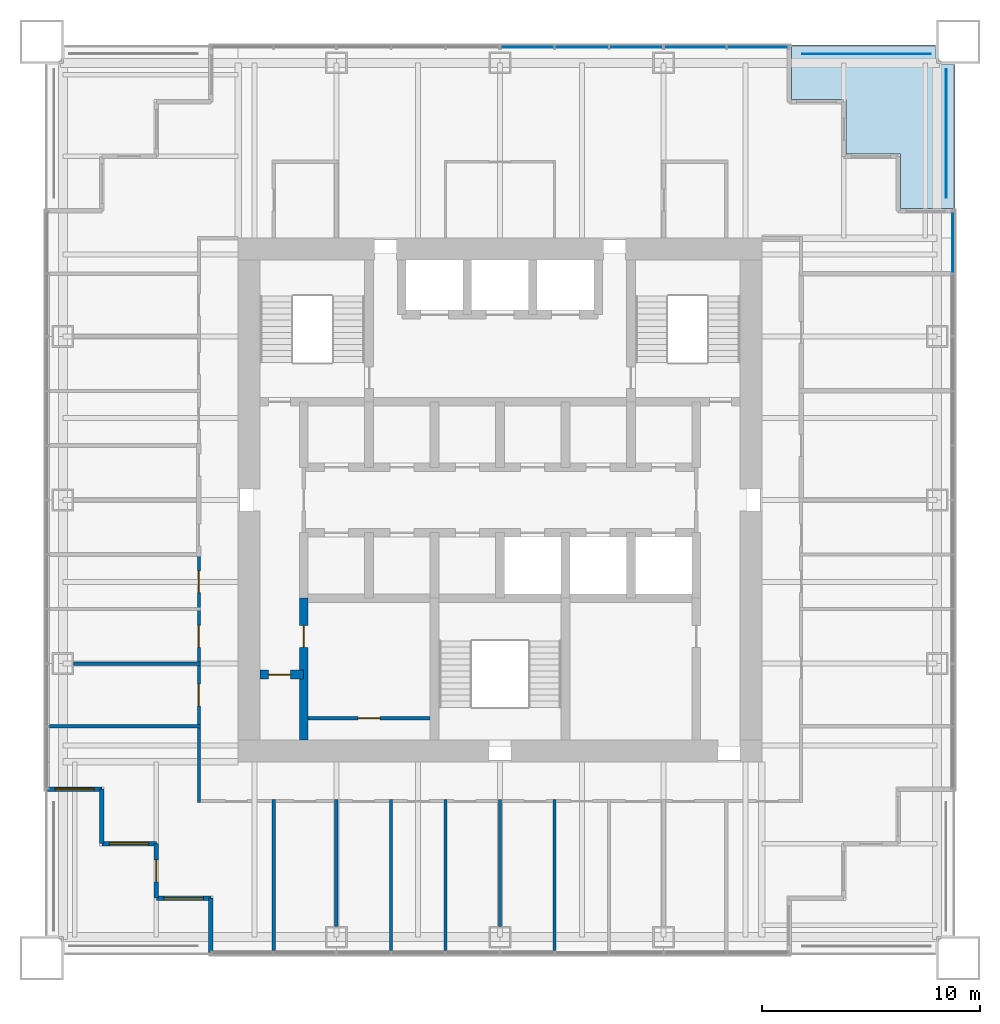
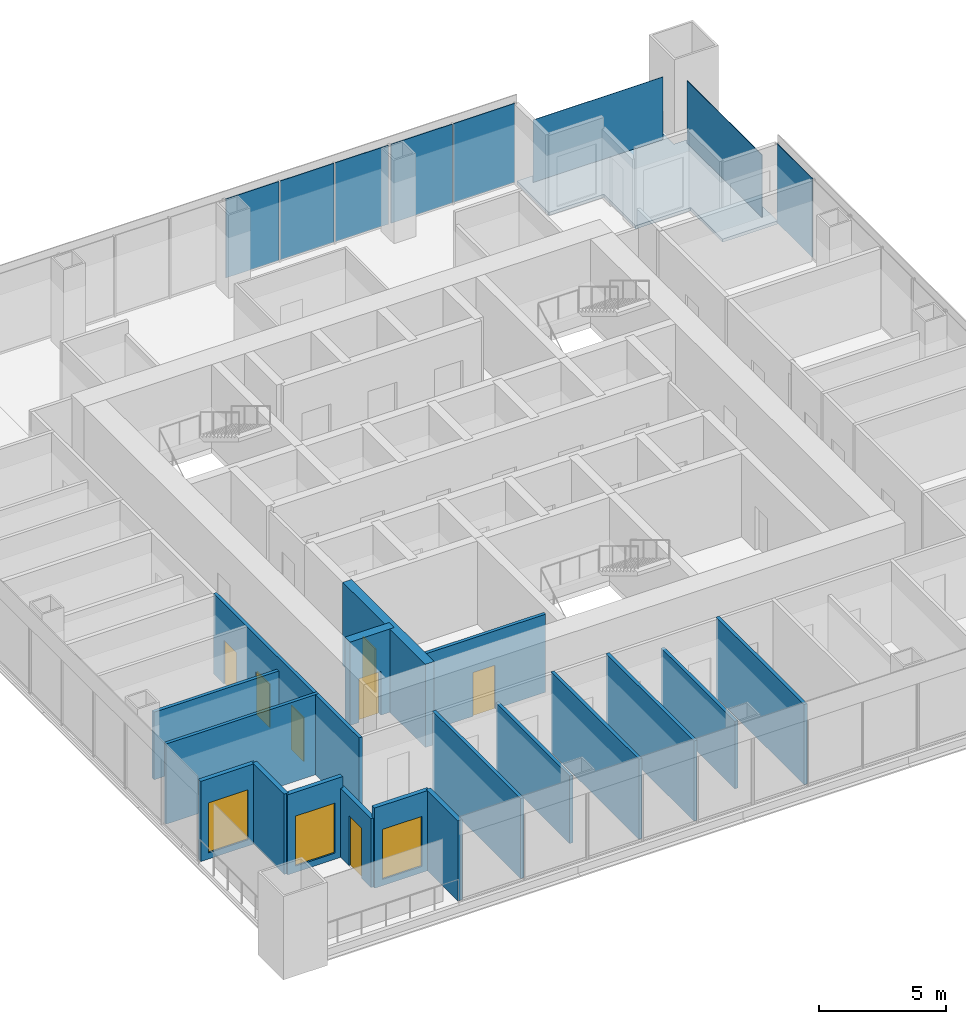
# One storey, part 9 of 15: 18 walls, 8 plates, 7 doors, 3 windows, 1 slab, 10 openings, 3 elements without a shape of their own.
"""IFC4 building model written with IfcOpenShell, lengths in metres."""

from ifc_helpers import new_model, si_unit, direction, frame, frame_2d, origin, origin_2d, place, context, subcontext, project, spatial, polyline, rectangle, outline, extrude, material, layer, layer_set, type_object, element, fill, aggregate, save


model = new_model("IFC4")

# Units and contexts
model_context = context("Model", 3, precision=1e-05, world=origin(), true_north=direction((0.0, 1.0)))
body_context = subcontext(model_context, "Body", "Model", "MODEL_VIEW")
ifc_project = project(units=[si_unit("LENGTHUNIT", "METRE"), si_unit("AREAUNIT", "SQUARE_METRE"), si_unit("VOLUMEUNIT", "CUBIC_METRE"), si_unit("PLANEANGLEUNIT", "RADIAN"), si_unit("MASSUNIT", "GRAM", prefix="KILO")], contexts=[model_context])

# Site, building, storey
site_placement = place(None, origin())
site = spatial("IfcSite", under=ifc_project, at=site_placement, CompositionType="ELEMENT")
building_placement = place(site_placement, origin())
building = spatial("IfcBuilding", under=site, at=building_placement, Name="Tarangal Relay Tower", CompositionType="ELEMENT")
storey_placement = place(building_placement, frame((0.0, 0.0, 299.89990234375)))
storey = spatial("IfcBuildingStorey", under=building, at=storey_placement, Name="L66", CompositionType="ELEMENT", Elevation=299.89990234375)

# Curtain wall, plates
ifc_material_1 = material(Name="Unitised curtain wall, dark glass and black aluminium", Category="aluminium")
curtain_wall_type = type_object("IfcCurtainWallType", Name="Curtain wall CW-B", PredefinedType="USERDEFINED", material=ifc_material_1)
curtain_wall_1_placement = place(storey_placement, origin())
curtain_wall_1 = element("IfcCurtainWall", 1, at=curtain_wall_1_placement, inside=storey, type_object=curtain_wall_type, Name="Curtain wall CW-B N facade L66", ObjectType="UNITISED CURTAIN WALL", PredefinedType="USERDEFINED")
ifc_material_2 = material(Name="Dark tinted insulated glass unit", Category="glass")
ifc_layer_1 = layer(ifc_material_2, 0.030029296875)
ifc_layer_set_1 = layer_set([ifc_layer_1], Name="Glazed panel CW-B 30")
plate_type_1 = type_object("IfcPlateType", Name="Glazed panel CW-B 30", PredefinedType="CURTAIN_PANEL", material=ifc_layer_set_1)
plate_1_placement = place(storey_placement, frame((1.264892578125, 20.75, 0.06005859375), z_axis=(0.0, 0.0, 1.0), x_axis=(1.0, 0.0, 0.0)))
plate_1 = element("IfcPlate", 2, at=plate_1_placement, type_object=plate_type_1, Name="CW-B panel 1.1", PredefinedType="CURTAIN_PANEL", context=body_context, shape_type="SweptSolid", body=[
    extrude(rectangle(XDim=2.409912109375, YDim=0.030029296875, at=origin_2d()), origin(), (0.0, 0.0, 1.0), 3.7900390625),
])
plate_2_placement = place(storey_placement, frame((3.75, 20.75, 0.06005859375), z_axis=(0.0, 0.0, 1.0), x_axis=(1.0, 0.0, 0.0)))
plate_2 = element("IfcPlate", 3, at=plate_2_placement, type_object=plate_type_1, Name="CW-B panel 2.1", PredefinedType="CURTAIN_PANEL", context=body_context, shape_type="SweptSolid", body=[
    extrude(rectangle(XDim=2.43994140625, YDim=0.030029296875, at=origin_2d()), origin(), (0.0, 0.0, 1.0), 3.7900390625),
])
plate_3_placement = place(storey_placement, frame((6.235107421875, 20.75, 0.06005859375), z_axis=(0.0, 0.0, 1.0), x_axis=(1.0, 0.0, 0.0)))
plate_3 = element("IfcPlate", 4, at=plate_3_placement, type_object=plate_type_1, Name="CW-B panel 3.1", PredefinedType="CURTAIN_PANEL", context=body_context, shape_type="SweptSolid", body=[
    extrude(rectangle(XDim=2.409912109375, YDim=0.030029296875, at=origin_2d()), origin(), (0.0, 0.0, 1.0), 3.7900390625),
])
aggregate(curtain_wall_1, [plate_1, plate_2, plate_3])

curtain_wall_2_placement = place(storey_placement, origin())
curtain_wall_2 = element("IfcCurtainWall", 5, at=curtain_wall_2_placement, inside=storey, type_object=curtain_wall_type, Name="Curtain wall CW-B N facade L66", ObjectType="UNITISED CURTAIN WALL", PredefinedType="USERDEFINED")
plate_4_placement = place(storey_placement, frame((8.952392578125, 20.75, 0.06005859375), z_axis=(0.0, 0.0, 1.0), x_axis=(1.0, 0.0, 0.0)))
plate_4 = element("IfcPlate", 6, at=plate_4_placement, type_object=plate_type_1, Name="CW-B panel 1.1", PredefinedType="CURTAIN_PANEL", context=body_context, shape_type="SweptSolid", body=[
    extrude(rectangle(XDim=2.784912109375, YDim=0.030029296875, at=origin_2d()), origin(), (0.0, 0.0, 1.0), 3.7900390625),
])
plate_5_placement = place(storey_placement, frame((11.797607421875, 20.75, 0.06005859375), z_axis=(0.0, 0.0, 1.0), x_axis=(1.0, 0.0, 0.0)))
plate_5 = element("IfcPlate", 7, at=plate_5_placement, type_object=plate_type_1, Name="CW-B panel 2.1", PredefinedType="CURTAIN_PANEL", context=body_context, shape_type="SweptSolid", body=[
    extrude(rectangle(XDim=2.784912109375, YDim=0.030029296875, at=origin_2d()), origin(), (0.0, 0.0, 1.0), 3.7900390625),
])
aggregate(curtain_wall_2, [plate_4, plate_5])

# Curtain wall, plate
curtain_wall_3_placement = place(storey_placement, origin())
curtain_wall_3 = element("IfcCurtainWall", 8, at=curtain_wall_3_placement, inside=storey, type_object=curtain_wall_type, Name="Curtain wall CW-B E facade L66", ObjectType="UNITISED CURTAIN WALL", PredefinedType="USERDEFINED")
plate_6_placement = place(storey_placement, frame((20.75, 11.797607421875, 0.06005859375), z_axis=(0.0, 0.0, 1.0), x_axis=(0.0, -1.0, 0.0)))
plate_6 = element("IfcPlate", 9, at=plate_6_placement, type_object=plate_type_1, Name="CW-B panel 1.1", PredefinedType="CURTAIN_PANEL", context=body_context, shape_type="SweptSolid", body=[
    extrude(rectangle(XDim=2.784912109375, YDim=0.030029296875, at=origin_2d()), origin(), (0.0, 0.0, 1.0), 3.7900390625),
])
aggregate(curtain_wall_3, [plate_6])

# Plates
ifc_material_3 = material(Name="Black stainless steel cable trellis with climbing planting", Category="steel")
ifc_layer_2 = layer(ifc_material_3, 0.030029296875)
ifc_layer_set_2 = layer_set([ifc_layer_2], Name="Planted trellis screen")
plate_type_2 = type_object("IfcPlateType", Name="Planted trellis screen", PredefinedType="SHEET", material=ifc_layer_set_2)
plate_7_placement = place(storey_placement, frame((20.449951171875, 16.800048828125, 0.0), z_axis=(0.0, 0.0, 1.0), x_axis=(0.0, -1.0, 0.0)))
element("IfcPlate", 10, at=plate_7_placement, inside=storey, type_object=plate_type_2, Name="Planted trellis SC2 NE L66", PredefinedType="SHEET", context=body_context, shape_type="SweptSolid", body=[
    extrude(rectangle(XDim=5.89990234375, YDim=0.030029296875, at=origin_2d()), origin(), (0.0, 0.0, 1.0), 3.0),
])
ifc_material_4 = material(Name="Perforated black aluminium screen", Category="aluminium")
ifc_layer_3 = layer(ifc_material_4, 0.02001953125)
ifc_layer_set_3 = layer_set([ifc_layer_3], Name="Terrace screen panel")
plate_type_3 = type_object("IfcPlateType", Name="Terrace screen panel", PredefinedType="SHEET", material=ifc_layer_set_3)
plate_8_placement = place(storey_placement, frame((16.800048828125, 20.449951171875, 0.0), z_axis=(0.0, 0.0, 1.0), x_axis=(1.0, 0.0, 0.0)))
element("IfcPlate", 11, at=plate_8_placement, inside=storey, type_object=plate_type_3, Name="Terrace screen SC1 NE L66", PredefinedType="SHEET", context=body_context, shape_type="SweptSolid", body=[
    extrude(rectangle(XDim=5.89990234375, YDim=0.02001953125, at=origin_2d()), origin(), (0.0, 0.0, 1.0), 3.0),
])

# Slab
ifc_material_5 = material(Name="Concrete fc' 35 MPa", Category="concrete")
ifc_layer_4 = layer(ifc_material_5, 0.14990234375)
ifc_layer_set_4 = layer_set([ifc_layer_4], Name="Terrace slab 150")
slab_type = type_object("IfcSlabType", Name="Terrace slab 150", PredefinedType="FLOOR", material=ifc_layer_set_4)
slab_placement = place(storey_placement, frame((0.0, 0.0, -0.14990234375)))
element("IfcSlab", 12, at=slab_placement, inside=storey, type_object=slab_type, Name="Corner terrace NE L66", PredefinedType="FLOOR", context=body_context, shape_type="SweptSolid", body=[
    extrude(outline(polyline([(13.35009765625, 20.85009765625), (13.35009765625, 18.35009765625), (15.85009765625, 18.35009765625), (15.85009765625, 15.85009765625), (18.35009765625, 15.85009765625), (18.35009765625, 13.35009765625), (20.85009765625, 13.35009765625), (20.85009765625, 19.949951171875), (19.949951171875, 19.949951171875), (19.949951171875, 20.85009765625), (13.35009765625, 20.85009765625)])), origin(), (0.0, 0.0, 1.0), 0.14990234375),
])

# Wall, opening, door
ifc_material_6 = material(Name="Concrete fc' 60 MPa", Category="concrete")
ifc_layer_5 = layer(ifc_material_6, 0.39990234375)
ifc_layer_set_5 = layer_set([ifc_layer_5], Name="Core inner wall 400")
wall_type_1 = type_object("IfcWallType", Name="Core inner wall 400", PredefinedType="SHEAR", material=ifc_layer_set_5)
wall_1_placement = place(storey_placement, frame((-11.0, -8.0, 0.0), z_axis=(0.0, 0.0, 1.0), x_axis=(1.0, 0.0, 0.0)))
wall_1 = element("IfcWall", 13, at=wall_1_placement, inside=storey, type_object=wall_type_1, Name="Core wall YM8 L66", PredefinedType="SHEAR", context=body_context, shape_type="SweptSolid", body=[
    extrude(rectangle(XDim=2.0, YDim=0.39990234375, at=frame_2d((1.0, 0.0))), origin(), (0.0, 0.0, 1.0), 4.0),
])
opening_1_placement = place(wall_1_placement, frame((0.39990234375, 0.0, 0.0)))
opening_1 = element("IfcOpeningElement", 14, at=opening_1_placement, cuts=wall_1, Name="Opening D1", PredefinedType="OPENING", context=body_context, shape_type="SweptSolid", body=[
    extrude(rectangle(XDim=1.0, YDim=2.10009765625, at=frame_2d((0.5, 1.050048828125))), frame((0.0, 0.2099609375, 0.0), z_axis=(0.0, -1.0, 0.0), x_axis=(1.0, 0.0, 0.0)), (0.0, 0.0, 1.0), 0.419921875),
])
ifc_material_7 = material(Name="Hardwood door", Category="wood")
door_type_1 = type_object("IfcDoorType", Name="WC door 1000 x 2100", OperationType="SINGLE_SWING_LEFT", PredefinedType="DOOR", material=ifc_material_7)
door_1_placement = place(opening_1_placement, origin())
door_1 = element("IfcDoor", 15, at=door_1_placement, inside=storey, type_object=door_type_1, Name="Accessible WC door L66", OperationType="SINGLE_SWING_LEFT", OverallHeight=2.10009765625, OverallWidth=1.0, PredefinedType="DOOR", context=body_context, shape_type="SweptSolid", body=[
    extrude(rectangle(XDim=1.0, YDim=2.10009765625, at=frame_2d((0.5, 1.050048828125))), frame((0.0, 0.02490234375, 0.0), z_axis=(0.0, -1.0, 0.0), x_axis=(1.0, 0.0, 0.0)), (0.0, 0.0, 1.0), 0.050048828125),
])
fill(opening_1, door_1)

wall_2_placement = place(storey_placement, frame((-9.0, -11.0, 0.0), z_axis=(0.0, 0.0, 1.0), x_axis=(0.0, 1.0, 0.0)))
wall_2 = element("IfcWall", 16, at=wall_2_placement, inside=storey, type_object=wall_type_1, Name="Core wall XM9W L66", PredefinedType="SHEAR", context=body_context, shape_type="SweptSolid", body=[
    extrude(rectangle(XDim=6.5, YDim=0.39990234375, at=frame_2d((3.25, 0.0))), origin(), (0.0, 0.0, 1.0), 4.0),
])
opening_2_placement = place(wall_2_placement, frame((4.25, 0.0, 0.0)))
opening_2 = element("IfcOpeningElement", 17, at=opening_2_placement, cuts=wall_2, Name="Opening D1", PredefinedType="OPENING", context=body_context, shape_type="SweptSolid", body=[
    extrude(rectangle(XDim=1.0, YDim=2.10009765625, at=frame_2d((0.5, 1.050048828125))), frame((0.0, 0.2099609375, 0.0), z_axis=(0.0, -1.0, 0.0), x_axis=(1.0, 0.0, 0.0)), (0.0, 0.0, 1.0), 0.419921875),
])
door_2_placement = place(opening_2_placement, origin())
door_2 = element("IfcDoor", 18, at=door_2_placement, inside=storey, type_object=door_type_1, Name="Male WC door L66", OperationType="SINGLE_SWING_LEFT", OverallHeight=2.10009765625, OverallWidth=1.0, PredefinedType="DOOR", context=body_context, shape_type="SweptSolid", body=[
    extrude(rectangle(XDim=1.0, YDim=2.10009765625, at=frame_2d((0.5, 1.050048828125))), frame((0.0, 0.02490234375, 0.0), z_axis=(0.0, -1.0, 0.0), x_axis=(1.0, 0.0, 0.0)), (0.0, 0.0, 1.0), 0.050048828125),
])
fill(opening_2, door_2)

# Wall
ifc_material_8 = material(Name="Black metal clad insulated wall", Category="steel")
ifc_layer_6 = layer(ifc_material_8, 0.199951171875)
ifc_layer_set_6 = layer_set([ifc_layer_6], Name="Corner wall metal clad 200")
wall_type_2 = type_object("IfcWallType", Name="Corner wall metal clad 200", PredefinedType="SOLIDWALL", material=ifc_layer_set_6)
wall_3_placement = place(storey_placement, frame((-13.25, -20.75, 0.0), z_axis=(0.0, 0.0, 1.0), x_axis=(0.0, 1.0, 0.0)))
element("IfcWall", 19, at=wall_3_placement, inside=storey, type_object=wall_type_2, Name="Facade wall S facade L66", PredefinedType="SOLIDWALL", context=body_context, shape_type="SweptSolid", body=[
    extrude(rectangle(XDim=2.5, YDim=0.199951171875, at=frame_2d((1.25, 0.0))), origin(), (0.0, 0.0, 1.0), 3.85009765625),
])

# Wall, opening, window
wall_4_placement = place(storey_placement, frame((-13.25, -18.25, 0.0), z_axis=(0.0, 0.0, 1.0), x_axis=(-1.0, 0.0, 0.0)))
wall_4 = element("IfcWall", 20, at=wall_4_placement, inside=storey, type_object=wall_type_2, Name="Facade wall S facade L66", PredefinedType="SOLIDWALL", context=body_context, shape_type="SweptSolid", body=[
    extrude(rectangle(XDim=2.5, YDim=0.199951171875, at=frame_2d((1.25, 0.0))), origin(), (0.0, 0.0, 1.0), 3.85009765625),
])
opening_3_placement = place(wall_4_placement, frame((0.35009765625, 0.0, 0.300048828125)))
opening_3 = element("IfcOpeningElement", 21, at=opening_3_placement, cuts=wall_4, Name="Opening WN2", PredefinedType="OPENING", context=body_context, shape_type="SweptSolid", body=[
    extrude(rectangle(XDim=1.800048828125, YDim=2.39990234375, at=frame_2d((0.89990234375, 1.199951171875))), frame((0.0, 0.10986328125, 0.0), z_axis=(0.0, -1.0, 0.0), x_axis=(1.0, 0.0, 0.0)), (0.0, 0.0, 1.0), 0.219970703125),
])
ifc_material_9 = material(Name="Dark tinted double glazing in black aluminium frame", Category="aluminium")
window_type = type_object("IfcWindowType", Name="Corner window 1800 x 2400", PartitioningType="SINGLE_PANEL", PredefinedType="WINDOW", material=ifc_material_9)
window_1_placement = place(opening_3_placement, origin())
window_1 = element("IfcWindow", 22, at=window_1_placement, inside=storey, type_object=window_type, Name="Corner window WN2 S facade L66", OverallHeight=2.39990234375, OverallWidth=1.800048828125, PartitioningType="SINGLE_PANEL", PredefinedType="WINDOW", context=body_context, shape_type="SweptSolid", body=[
    extrude(rectangle(XDim=1.800048828125, YDim=2.39990234375, at=frame_2d((0.89990234375, 1.199951171875))), frame((0.0, 0.030029296875, 0.0), z_axis=(0.0, -1.0, 0.0), x_axis=(1.0, 0.0, 0.0)), (0.0, 0.0, 1.0), 0.06005859375),
])
fill(opening_3, window_1)

# Wall, opening, door
wall_5_placement = place(storey_placement, frame((-15.75, -18.25, 0.0), z_axis=(0.0, 0.0, 1.0), x_axis=(0.0, 1.0, 0.0)))
wall_5 = element("IfcWall", 23, at=wall_5_placement, inside=storey, type_object=wall_type_2, Name="Facade wall S facade L66", PredefinedType="SOLIDWALL", context=body_context, shape_type="SweptSolid", body=[
    extrude(rectangle(XDim=2.5, YDim=0.199951171875, at=frame_2d((1.25, 0.0))), origin(), (0.0, 0.0, 1.0), 3.316650390625),
])
opening_4_placement = place(wall_5_placement, frame((0.75, 0.0, 0.0)))
opening_4 = element("IfcOpeningElement", 24, at=opening_4_placement, cuts=wall_5, Name="Opening TD1", PredefinedType="OPENING", context=body_context, shape_type="SweptSolid", body=[
    extrude(rectangle(XDim=1.0, YDim=2.39990234375, at=frame_2d((0.5, 1.199951171875))), frame((0.0, 0.10986328125, 0.0), z_axis=(0.0, -1.0, 0.0), x_axis=(1.0, 0.0, 0.0)), (0.0, 0.0, 1.0), 0.219970703125),
])
ifc_material_10 = material(Name="Aluminium glazed door", Category="aluminium")
door_type_2 = type_object("IfcDoorType", Name="Terrace door 1000 x 2400", OperationType="SINGLE_SWING_RIGHT", PredefinedType="DOOR", material=ifc_material_10)
door_3_placement = place(opening_4_placement, origin())
door_3 = element("IfcDoor", 25, at=door_3_placement, inside=storey, type_object=door_type_2, Name="Terrace door TD1 SW L66", OperationType="SINGLE_SWING_RIGHT", OverallHeight=2.39990234375, OverallWidth=1.0, PredefinedType="DOOR", context=body_context, shape_type="SweptSolid", body=[
    extrude(rectangle(XDim=1.0, YDim=2.39990234375, at=frame_2d((0.5, 1.199951171875))), frame((0.0, 0.02490234375, 0.0), z_axis=(0.0, -1.0, 0.0), x_axis=(1.0, 0.0, 0.0)), (0.0, 0.0, 1.0), 0.050048828125),
])
fill(opening_4, door_3)

# Wall, opening, window
wall_6_placement = place(storey_placement, frame((-15.75, -15.75, 0.0), z_axis=(0.0, 0.0, 1.0), x_axis=(-1.0, 0.0, 0.0)))
wall_6 = element("IfcWall", 26, at=wall_6_placement, inside=storey, type_object=wall_type_2, Name="Facade wall S facade L66", PredefinedType="SOLIDWALL", context=body_context, shape_type="SweptSolid", body=[
    extrude(rectangle(XDim=2.5, YDim=0.199951171875, at=frame_2d((1.25, 0.0))), origin(), (0.0, 0.0, 1.0), 3.85009765625),
])
opening_5_placement = place(wall_6_placement, frame((0.35009765625, 0.0, 0.300048828125)))
opening_5 = element("IfcOpeningElement", 27, at=opening_5_placement, cuts=wall_6, Name="Opening WN2", PredefinedType="OPENING", context=body_context, shape_type="SweptSolid", body=[
    extrude(rectangle(XDim=1.800048828125, YDim=2.39990234375, at=frame_2d((0.89990234375, 1.199951171875))), frame((0.0, 0.10986328125, 0.0), z_axis=(0.0, -1.0, 0.0), x_axis=(1.0, 0.0, 0.0)), (0.0, 0.0, 1.0), 0.219970703125),
])
window_2_placement = place(opening_5_placement, origin())
window_2 = element("IfcWindow", 28, at=window_2_placement, inside=storey, type_object=window_type, Name="Corner window WN2 S facade L66", OverallHeight=2.39990234375, OverallWidth=1.800048828125, PartitioningType="SINGLE_PANEL", PredefinedType="WINDOW", context=body_context, shape_type="SweptSolid", body=[
    extrude(rectangle(XDim=1.800048828125, YDim=2.39990234375, at=frame_2d((0.89990234375, 1.199951171875))), frame((0.0, 0.030029296875, 0.0), z_axis=(0.0, -1.0, 0.0), x_axis=(1.0, 0.0, 0.0)), (0.0, 0.0, 1.0), 0.06005859375),
])
fill(opening_5, window_2)

# Wall
wall_7_placement = place(storey_placement, frame((-18.25, -15.75, 0.0), z_axis=(0.0, 0.0, 1.0), x_axis=(0.0, 1.0, 0.0)))
element("IfcWall", 29, at=wall_7_placement, inside=storey, type_object=wall_type_2, Name="Facade wall S facade L66", PredefinedType="SOLIDWALL", context=body_context, shape_type="SweptSolid", body=[
    extrude(rectangle(XDim=2.5, YDim=0.199951171875, at=frame_2d((1.25, 0.0))), origin(), (0.0, 0.0, 1.0), 3.85009765625),
])

# Wall, opening, window
wall_8_placement = place(storey_placement, frame((-18.25, -13.25, 0.0), z_axis=(0.0, 0.0, 1.0), x_axis=(-1.0, 0.0, 0.0)))
wall_8 = element("IfcWall", 30, at=wall_8_placement, inside=storey, type_object=wall_type_2, Name="Facade wall S facade L66", PredefinedType="SOLIDWALL", context=body_context, shape_type="SweptSolid", body=[
    extrude(rectangle(XDim=2.5, YDim=0.199951171875, at=frame_2d((1.25, 0.0))), origin(), (0.0, 0.0, 1.0), 3.85009765625),
])
opening_6_placement = place(wall_8_placement, frame((0.35009765625, 0.0, 0.300048828125)))
opening_6 = element("IfcOpeningElement", 31, at=opening_6_placement, cuts=wall_8, Name="Opening WN2", PredefinedType="OPENING", context=body_context, shape_type="SweptSolid", body=[
    extrude(rectangle(XDim=1.800048828125, YDim=2.39990234375, at=frame_2d((0.89990234375, 1.199951171875))), frame((0.0, 0.10986328125, 0.0), z_axis=(0.0, -1.0, 0.0), x_axis=(1.0, 0.0, 0.0)), (0.0, 0.0, 1.0), 0.219970703125),
])
window_3_placement = place(opening_6_placement, origin())
window_3 = element("IfcWindow", 32, at=window_3_placement, inside=storey, type_object=window_type, Name="Corner window WN2 S facade L66", OverallHeight=2.39990234375, OverallWidth=1.800048828125, PartitioningType="SINGLE_PANEL", PredefinedType="WINDOW", context=body_context, shape_type="SweptSolid", body=[
    extrude(rectangle(XDim=1.800048828125, YDim=2.39990234375, at=frame_2d((0.89990234375, 1.199951171875))), frame((0.0, 0.030029296875, 0.0), z_axis=(0.0, -1.0, 0.0), x_axis=(1.0, 0.0, 0.0)), (0.0, 0.0, 1.0), 0.06005859375),
])
fill(opening_6, window_3)

# Walls
ifc_material_11 = material(Name="Gypsum board on steel studs", Category="steel")
ifc_layer_7 = layer(ifc_material_11, 0.14990234375)
ifc_layer_set_7 = layer_set([ifc_layer_7], Name="Partition 150")
wall_type_3 = type_object("IfcWallType", Name="Partition 150", PredefinedType="PARTITIONING", material=ifc_layer_set_7)
wall_9_placement = place(storey_placement, frame((-20.64990234375, -10.375, 0.0), z_axis=(0.0, 0.0, 1.0), x_axis=(1.0, 0.0, 0.0)))
element("IfcWall", 33, at=wall_9_placement, inside=storey, type_object=wall_type_3, Name="Partition PT1 L66", PredefinedType="PARTITIONING", context=body_context, shape_type="SweptSolid", body=[
    extrude(rectangle(XDim=6.9248046875, YDim=0.14990234375, at=frame_2d((3.46240234375, 0.0))), origin(), (0.0, 0.0, 1.0), 3.85009765625),
])
wall_10_placement = place(storey_placement, frame((-19.5400390625, -7.5, 0.0), z_axis=(0.0, 0.0, 1.0), x_axis=(1.0, 0.0, 0.0)))
element("IfcWall", 34, at=wall_10_placement, inside=storey, type_object=wall_type_3, Name="Partition PT1 L66", PredefinedType="PARTITIONING", context=body_context, shape_type="SweptSolid", body=[
    extrude(rectangle(XDim=5.81494140625, YDim=0.14990234375, at=frame_2d((2.907470703125, 0.0))), origin(), (0.0, 0.0, 1.0), 3.2431640625),
])

# Wall, openings, doors
wall_11_placement = place(storey_placement, frame((-13.800048828125, -13.875, 0.0), z_axis=(0.0, 0.0, 1.0), x_axis=(0.0, 1.0, 0.0)))
wall_11 = element("IfcWall", 35, at=wall_11_placement, inside=storey, type_object=wall_type_3, Name="Partition PT1 L66", PredefinedType="PARTITIONING", context=body_context, shape_type="SweptSolid", body=[
    extrude(rectangle(XDim=11.449951171875, YDim=0.14990234375, at=frame_2d((5.72509765625, 0.0))), origin(), (0.0, 0.0, 1.0), 3.85009765625),
])
opening_7_placement = place(wall_11_placement, frame((4.4375, 0.0, 0.0)))
opening_7 = element("IfcOpeningElement", 36, at=opening_7_placement, cuts=wall_11, Name="Opening D2", PredefinedType="OPENING", context=body_context, shape_type="SweptSolid", body=[
    extrude(rectangle(XDim=1.0, YDim=2.10009765625, at=frame_2d((0.5, 1.050048828125))), frame((0.0, 0.0849609375, 0.0), z_axis=(0.0, -1.0, 0.0), x_axis=(1.0, 0.0, 0.0)), (0.0, 0.0, 1.0), 0.169921875),
])
opening_8_placement = place(wall_11_placement, frame((7.125, 0.0, 0.0)))
opening_8 = element("IfcOpeningElement", 37, at=opening_8_placement, cuts=wall_11, Name="Opening D2", PredefinedType="OPENING", context=body_context, shape_type="SweptSolid", body=[
    extrude(rectangle(XDim=1.0, YDim=2.10009765625, at=frame_2d((0.5, 1.050048828125))), frame((0.0, 0.0849609375, 0.0), z_axis=(0.0, -1.0, 0.0), x_axis=(1.0, 0.0, 0.0)), (0.0, 0.0, 1.0), 0.169921875),
])
opening_9_placement = place(wall_11_placement, frame((9.625, 0.0, 0.0)))
opening_9 = element("IfcOpeningElement", 38, at=opening_9_placement, cuts=wall_11, Name="Opening D2", PredefinedType="OPENING", context=body_context, shape_type="SweptSolid", body=[
    extrude(rectangle(XDim=1.0, YDim=2.10009765625, at=frame_2d((0.5, 1.050048828125))), frame((0.0, 0.0849609375, 0.0), z_axis=(0.0, -1.0, 0.0), x_axis=(1.0, 0.0, 0.0)), (0.0, 0.0, 1.0), 0.169921875),
])
door_type_3 = type_object("IfcDoorType", Name="Door 1000 x 2100", OperationType="SINGLE_SWING_LEFT", PredefinedType="DOOR", material=ifc_material_7)
door_4_placement = place(opening_7_placement, origin())
door_4 = element("IfcDoor", 39, at=door_4_placement, inside=storey, type_object=door_type_3, Name="Door D2 to cellular office L66-18", OperationType="SINGLE_SWING_LEFT", OverallHeight=2.10009765625, OverallWidth=1.0, PredefinedType="DOOR", context=body_context, shape_type="SweptSolid", body=[
    extrude(rectangle(XDim=1.0, YDim=2.10009765625, at=frame_2d((0.5, 1.050048828125))), frame((0.0, 0.02490234375, 0.0), z_axis=(0.0, -1.0, 0.0), x_axis=(1.0, 0.0, 0.0)), (0.0, 0.0, 1.0), 0.050048828125),
])
fill(opening_7, door_4)
door_5_placement = place(opening_8_placement, origin())
door_5 = element("IfcDoor", 40, at=door_5_placement, inside=storey, type_object=door_type_3, Name="Door D2 to cellular office L66-19", OperationType="SINGLE_SWING_LEFT", OverallHeight=2.10009765625, OverallWidth=1.0, PredefinedType="DOOR", context=body_context, shape_type="SweptSolid", body=[
    extrude(rectangle(XDim=1.0, YDim=2.10009765625, at=frame_2d((0.5, 1.050048828125))), frame((0.0, 0.02490234375, 0.0), z_axis=(0.0, -1.0, 0.0), x_axis=(1.0, 0.0, 0.0)), (0.0, 0.0, 1.0), 0.050048828125),
])
fill(opening_8, door_5)
door_6_placement = place(opening_9_placement, origin())
door_6 = element("IfcDoor", 41, at=door_6_placement, inside=storey, type_object=door_type_3, Name="Door D2 to cellular office L66-20", OperationType="SINGLE_SWING_LEFT", OverallHeight=2.10009765625, OverallWidth=1.0, PredefinedType="DOOR", context=body_context, shape_type="SweptSolid", body=[
    extrude(rectangle(XDim=1.0, YDim=2.10009765625, at=frame_2d((0.5, 1.050048828125))), frame((0.0, 0.02490234375, 0.0), z_axis=(0.0, -1.0, 0.0), x_axis=(1.0, 0.0, 0.0)), (0.0, 0.0, 1.0), 0.050048828125),
])
fill(opening_9, door_6)

# Walls
wall_12_placement = place(storey_placement, frame((-10.375, -20.64990234375, 0.0), z_axis=(0.0, 0.0, 1.0), x_axis=(0.0, 1.0, 0.0)))
element("IfcWall", 42, at=wall_12_placement, inside=storey, type_object=wall_type_3, Name="Partition PT1 L66", PredefinedType="PARTITIONING", context=body_context, shape_type="SweptSolid", body=[
    extrude(rectangle(XDim=6.9248046875, YDim=0.14990234375, at=frame_2d((3.46240234375, 0.0))), origin(), (0.0, 0.0, 1.0), 3.85009765625),
])
wall_13_placement = place(storey_placement, frame((-7.5, -19.5400390625, 0.0), z_axis=(0.0, 0.0, 1.0), x_axis=(0.0, 1.0, 0.0)))
element("IfcWall", 43, at=wall_13_placement, inside=storey, type_object=wall_type_3, Name="Partition PT1 L66", PredefinedType="PARTITIONING", context=body_context, shape_type="SweptSolid", body=[
    extrude(rectangle(XDim=5.81494140625, YDim=0.14990234375, at=frame_2d((2.907470703125, 0.0))), origin(), (0.0, 0.0, 1.0), 3.2431640625),
])
for number, where, z_axis, x_axis, name in (
    (44, (-5.0, -20.64990234375, 0.0), (0.0, 0.0, 1.0), (0.0, 1.0, 0.0), "Partition PT1 L66"),
    (45, (-2.5, -20.64990234375, 0.0), (0.0, 0.0, 1.0), (0.0, 1.0, 0.0), "Partition PT1 L66"),
):
    element("IfcWall", number, at=place(storey_placement, frame(where, z_axis=z_axis, x_axis=x_axis)), inside=storey, type_object=wall_type_3, Name=name, PredefinedType="PARTITIONING", context=body_context, shape_type="SweptSolid", body=[
        extrude(rectangle(XDim=6.9248046875, YDim=0.14990234375, at=frame_2d((3.46240234375, 0.0))), origin(), (0.0, 0.0, 1.0), 3.85009765625),
    ])
wall_14_placement = place(storey_placement, frame((0.0, -19.5400390625, 0.0), z_axis=(0.0, 0.0, 1.0), x_axis=(0.0, 1.0, 0.0)))
element("IfcWall", 46, at=wall_14_placement, inside=storey, type_object=wall_type_3, Name="Partition PT1 L66", PredefinedType="PARTITIONING", context=body_context, shape_type="SweptSolid", body=[
    extrude(rectangle(XDim=5.81494140625, YDim=0.14990234375, at=frame_2d((2.907470703125, 0.0))), origin(), (0.0, 0.0, 1.0), 3.2431640625),
])
wall_15_placement = place(storey_placement, frame((2.5, -20.64990234375, 0.0), z_axis=(0.0, 0.0, 1.0), x_axis=(0.0, 1.0, 0.0)))
element("IfcWall", 47, at=wall_15_placement, inside=storey, type_object=wall_type_3, Name="Partition PT1 L66", PredefinedType="PARTITIONING", context=body_context, shape_type="SweptSolid", body=[
    extrude(rectangle(XDim=6.9248046875, YDim=0.14990234375, at=frame_2d((3.46240234375, 0.0))), origin(), (0.0, 0.0, 1.0), 3.85009765625),
])

# Wall, opening, door
wall_16_placement = place(storey_placement, frame((-8.800048828125, -10.0, 0.0), z_axis=(0.0, 0.0, 1.0), x_axis=(1.0, 0.0, 0.0)))
wall_16 = element("IfcWall", 48, at=wall_16_placement, inside=storey, type_object=wall_type_3, Name="Partition PT1 L66", PredefinedType="PARTITIONING", context=body_context, shape_type="SweptSolid", body=[
    extrude(rectangle(XDim=5.60009765625, YDim=0.14990234375, at=frame_2d((2.800048828125, 0.0))), origin(), (0.0, 0.0, 1.0), 3.75),
])
opening_10_placement = place(wall_16_placement, frame((2.300048828125, 0.0, 0.0)))
opening_10 = element("IfcOpeningElement", 49, at=opening_10_placement, cuts=wall_16, Name="Opening D1", PredefinedType="OPENING", context=body_context, shape_type="SweptSolid", body=[
    extrude(rectangle(XDim=1.0, YDim=2.10009765625, at=frame_2d((0.5, 1.050048828125))), frame((0.0, 0.0849609375, 0.0), z_axis=(0.0, -1.0, 0.0), x_axis=(1.0, 0.0, 0.0)), (0.0, 0.0, 1.0), 0.169921875),
])
door_7_placement = place(opening_10_placement, origin())
door_7 = element("IfcDoor", 50, at=door_7_placement, inside=storey, type_object=door_type_1, Name="Door D1 to male shower room L66-C7B", OperationType="SINGLE_SWING_LEFT", OverallHeight=2.10009765625, OverallWidth=1.0, PredefinedType="DOOR", context=body_context, shape_type="SweptSolid", body=[
    extrude(rectangle(XDim=1.0, YDim=2.10009765625, at=frame_2d((0.5, 1.050048828125))), frame((0.0, 0.02490234375, 0.0), z_axis=(0.0, -1.0, 0.0), x_axis=(1.0, 0.0, 0.0)), (0.0, 0.0, 1.0), 0.050048828125),
])
fill(opening_10, door_7)

save(model, "model.ifc")
